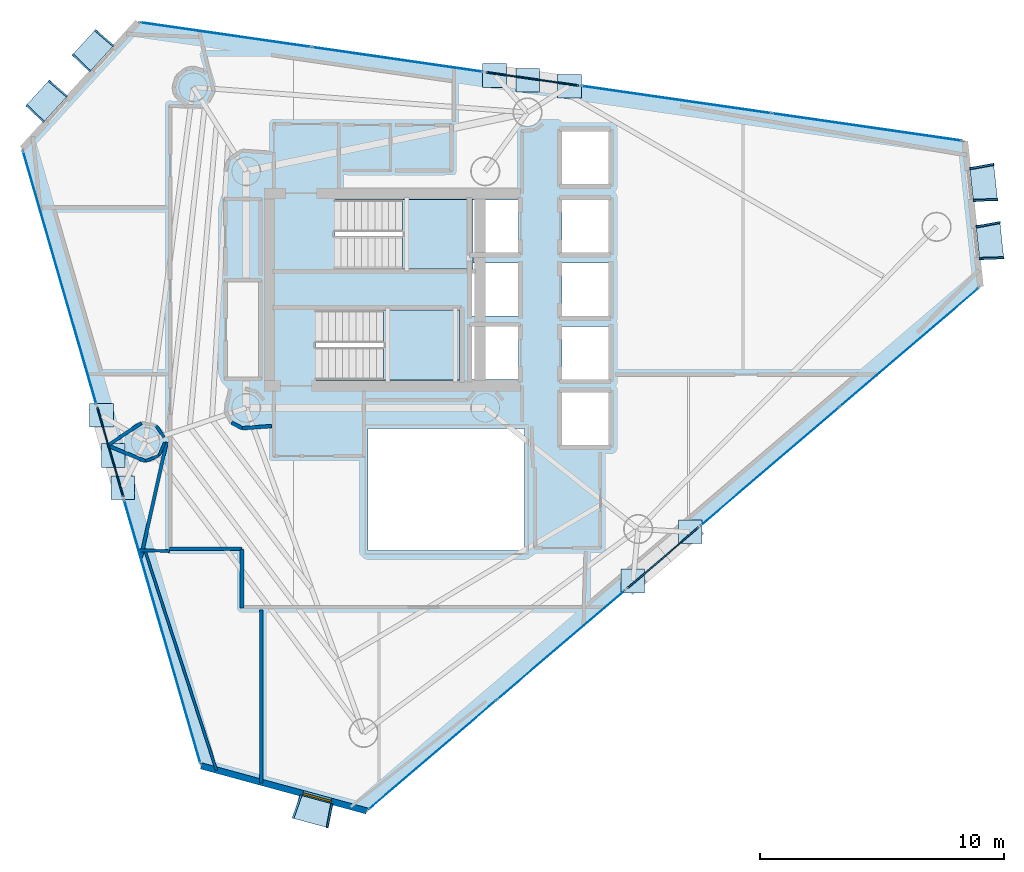
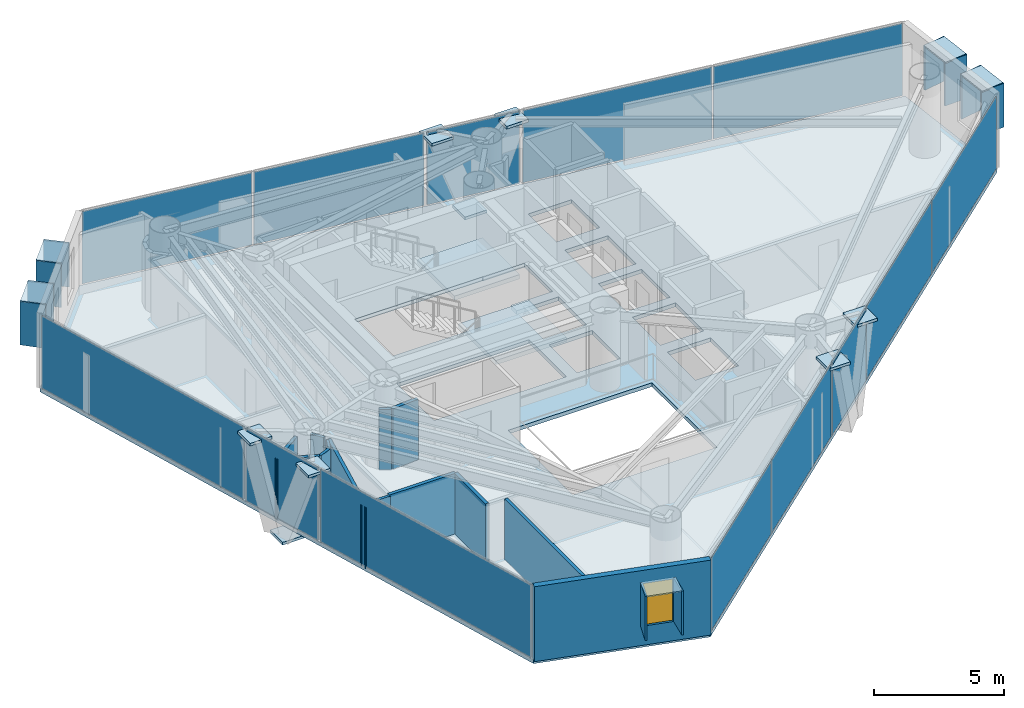
# One storey, part 17 of 23: 36 plates, 14 walls, 3 slabs, 1 window, 1 opening, 11 elements without a shape of their own.
"""IFC4 building model written with IfcOpenShell, lengths in metres."""

from ifc_helpers import new_model, si_unit, direction, frame, frame_2d, origin, origin_2d, place, context, subcontext, project, spatial, polyline, rectangle, outline, extrude, material, layer, layer_set, type_object, element, fill, aggregate, save


model = new_model("IFC4")

# Units and contexts
model_context = context("Model", 3, precision=1e-05, world=origin(), true_north=direction((0.0, 1.0)))
body_context = subcontext(model_context, "Body", "Model", "MODEL_VIEW")
ifc_project = project(units=[si_unit("LENGTHUNIT", "METRE"), si_unit("AREAUNIT", "SQUARE_METRE"), si_unit("VOLUMEUNIT", "CUBIC_METRE"), si_unit("PLANEANGLEUNIT", "RADIAN"), si_unit("MASSUNIT", "GRAM", prefix="KILO")], contexts=[model_context])

# Site, building, storey
site_placement = place(None, origin())
site = spatial("IfcSite", under=ifc_project, at=site_placement, CompositionType="ELEMENT")
building_placement = place(site_placement, origin())
building = spatial("IfcBuilding", under=site, at=building_placement, Name="Qianvela Tower", CompositionType="ELEMENT")
storey_placement = place(building_placement, frame((0.0, 0.0, 215.10009765625)))
storey = spatial("IfcBuildingStorey", under=building, at=storey_placement, Name="L55", CompositionType="ELEMENT", Elevation=215.10009765625)

# Curtain wall, plate
ifc_material_1 = material(Name="Anodised Architectural Aluminium and Insulated Spandrel Panel", Category="aluminium")
ifc_layer_1 = layer(ifc_material_1, 0.179931640625)
ifc_layer_set_1 = layer_set([ifc_layer_1], Name="Anodised Architectural Aluminium and Insulated Spandrel Panel")
curtain_wall_type_1 = type_object("IfcCurtainWallType", Name="CW-BRACEBAY", PredefinedType="USERDEFINED", material=ifc_layer_set_1)
curtain_wall_1_placement = place(storey_placement, origin())
curtain_wall_1 = element("IfcCurtainWall", 1, at=curtain_wall_1_placement, inside=storey, type_object=curtain_wall_type_1, Name="L55 CW-BRACEBAY Curtain Wall 02B", ObjectType="CURTAIN_WALL_SYSTEM", PredefinedType="USERDEFINED")
ifc_material_2 = material(Name="Insulated Aluminium Spandrel Panel with Mineral-Wool Backpan", Category="aluminium")
ifc_layer_2 = layer(ifc_material_2, 0.06005859375)
ifc_layer_set_2 = layer_set([ifc_layer_2], Name="Insulated Aluminium Spandrel Panel with Mineral-Wool Backpan")
plate_type_1 = type_object("IfcPlateType", Name="CW-BRACEBAY-PNL", PredefinedType="CURTAIN_PANEL", material=ifc_layer_set_2)
plate_1_placement = place(storey_placement, frame((40.32861328125, 37.333984375, 0.06494140625), z_axis=(0.0, 0.0, 1.0), x_axis=(-0.989792212089, 0.142517987944, 0.0)))
plate_1 = element("IfcPlate", 2, at=plate_1_placement, type_object=plate_type_1, Name="CW-9 panel 1.1", PredefinedType="CURTAIN_PANEL", context=body_context, shape_type="SweptSolid", body=[
    extrude(rectangle(XDim=3.840087890625, YDim=0.06005859375, at=origin_2d()), origin(), (0.0, 0.0, 1.0), 3.389892578125),
])
aggregate(curtain_wall_1, [plate_1])

curtain_wall_2_placement = place(storey_placement, origin())
curtain_wall_2 = element("IfcCurtainWall", 3, at=curtain_wall_2_placement, inside=storey, type_object=curtain_wall_type_1, Name="L55 CW-BRACEBAY Curtain Wall 04B", ObjectType="CURTAIN_WALL_SYSTEM", PredefinedType="USERDEFINED")
plate_2_placement = place(storey_placement, frame((23.029541015625, 22.04150390625, 0.06494140625), z_axis=(0.0, 0.0, 1.0), x_axis=(0.278332063761, -0.960484909971, 0.0)))
plate_2 = element("IfcPlate", 4, at=plate_2_placement, type_object=plate_type_1, Name="CW-9 panel 1.1", PredefinedType="CURTAIN_PANEL", context=body_context, shape_type="SweptSolid", body=[
    extrude(rectangle(XDim=3.840087890625, YDim=0.06005859375, at=origin_2d()), origin(), (0.0, 0.0, 1.0), 3.389892578125),
])
aggregate(curtain_wall_2, [plate_2])

curtain_wall_3_placement = place(storey_placement, origin())
curtain_wall_3 = element("IfcCurtainWall", 5, at=curtain_wall_3_placement, inside=storey, type_object=curtain_wall_type_1, Name="L55 CW-BRACEBAY Curtain Wall 06B", ObjectType="CURTAIN_WALL_SYSTEM", PredefinedType="USERDEFINED")
plate_3_placement = place(storey_placement, frame((45.676513671875, 17.70068359375, 0.06494140625), z_axis=(0.0, 0.0, 1.0), x_axis=(0.760254970541, 0.649624799225, 0.0)))
plate_3 = element("IfcPlate", 6, at=plate_3_placement, type_object=plate_type_1, Name="CW-9 panel 1.1", PredefinedType="CURTAIN_PANEL", context=body_context, shape_type="SweptSolid", body=[
    extrude(rectangle(XDim=3.840087890625, YDim=0.06005859375, at=origin_2d()), origin(), (0.0, 0.0, 1.0), 3.389892578125),
])
aggregate(curtain_wall_3, [plate_3])

# Curtain wall, plates
ifc_material_3 = material(Name="Anodised Architectural Aluminium and Low-E Glass", Category="aluminium")
ifc_layer_3 = layer(ifc_material_3, 0.159912109375)
ifc_layer_set_3 = layer_set([ifc_layer_3], Name="Anodised Architectural Aluminium and Low-E Glass")
curtain_wall_type_2 = type_object("IfcCurtainWallType", Name="CW-COLIV-Z56", PredefinedType="USERDEFINED", material=ifc_layer_set_3)
curtain_wall_4_placement = place(storey_placement, origin())
curtain_wall_4 = element("IfcCurtainWall", 7, at=curtain_wall_4_placement, inside=storey, type_object=curtain_wall_type_2, Name="L55 CW-COLIV-Z56 Curtain Wall 02A", ObjectType="CURTAIN_WALL_SYSTEM", PredefinedType="USERDEFINED")
ifc_material_4 = material(Name="Double-Silver Low-E Insulated Glass", Category="glass")
ifc_layer_4 = layer(ifc_material_4, 0.028076171875)
ifc_layer_set_4 = layer_set([ifc_layer_4], Name="Double-Silver Low-E Insulated Glass")
plate_type_2 = type_object("IfcPlateType", Name="CW-COLIV-Z56-PNL", PredefinedType="CURTAIN_PANEL", material=ifc_layer_set_4)
plate_4_placement = place(storey_placement, frame((54.05810546875, 35.357177734375, 0.06005859375), z_axis=(0.0, 0.0, 1.0), x_axis=(-0.989793635315, 0.142508103244, 0.0)))
plate_4 = element("IfcPlate", 8, at=plate_4_placement, type_object=plate_type_2, Name="CW-5 panel 1.1", PredefinedType="CURTAIN_PANEL", context=body_context, shape_type="SweptSolid", body=[
    extrude(rectangle(XDim=7.83740234375, YDim=0.028076171875, at=origin_2d()), origin(), (0.0, 0.0, 1.0), 3.39990234375),
])
plate_5_placement = place(storey_placement, frame((46.236328125, 36.4833984375, 0.06005859375), z_axis=(0.0, 0.0, 1.0), x_axis=(-0.989793635315, 0.142508103244, 0.0)))
plate_5 = element("IfcPlate", 9, at=plate_5_placement, type_object=plate_type_2, Name="CW-5 panel 2.1", PredefinedType="CURTAIN_PANEL", context=body_context, shape_type="SweptSolid", body=[
    extrude(rectangle(XDim=7.83740234375, YDim=0.028076171875, at=origin_2d()), origin(), (0.0, 0.0, 1.0), 3.39990234375),
])
aggregate(curtain_wall_4, [plate_4, plate_5])

curtain_wall_5_placement = place(storey_placement, origin())
curtain_wall_5 = element("IfcCurtainWall", 10, at=curtain_wall_5_placement, inside=storey, type_object=curtain_wall_type_2, Name="L55 CW-COLIV-Z56 Curtain Wall 02C", ObjectType="CURTAIN_WALL_SYSTEM", PredefinedType="USERDEFINED")
plate_6_placement = place(storey_placement, frame((34.811767578125, 38.128173828125, 0.06005859375), z_axis=(0.0, 0.0, 1.0), x_axis=(-0.989793539093, 0.142508771551, 0.0)))
plate_6 = element("IfcPlate", 11, at=plate_6_placement, type_object=plate_type_2, Name="CW-5 panel 1.1", PredefinedType="CURTAIN_PANEL", context=body_context, shape_type="SweptSolid", body=[
    extrude(rectangle(XDim=7.04736328125, YDim=0.028076171875, at=origin_2d()), origin(), (0.0, 0.0, 1.0), 3.39990234375),
])
plate_7_placement = place(storey_placement, frame((27.77197265625, 39.141845703125, 0.06005859375), z_axis=(0.0, 0.0, 1.0), x_axis=(-0.989793539093, 0.142508771551, 0.0)))
plate_7 = element("IfcPlate", 12, at=plate_7_placement, type_object=plate_type_2, Name="CW-5 panel 2.1", PredefinedType="CURTAIN_PANEL", context=body_context, shape_type="SweptSolid", body=[
    extrude(rectangle(XDim=7.04736328125, YDim=0.028076171875, at=origin_2d()), origin(), (0.0, 0.0, 1.0), 3.39990234375),
])
aggregate(curtain_wall_5, [plate_6, plate_7])

# Curtain wall, plate
curtain_wall_6_placement = place(storey_placement, origin())
curtain_wall_6 = element("IfcCurtainWall", 13, at=curtain_wall_6_placement, inside=storey, type_object=curtain_wall_type_2, Name="L55 CW-COLIV-Z56 Curtain Wall 04A", ObjectType="CURTAIN_WALL_SYSTEM", PredefinedType="USERDEFINED")
plate_8_placement = place(storey_placement, frame((20.958740234375, 29.1875, 0.06005859375), z_axis=(0.0, 0.0, 1.0), x_axis=(0.2783231338, -0.960487497676, 0.0)))
plate_8 = element("IfcPlate", 14, at=plate_8_placement, type_object=plate_type_2, Name="CW-5 panel 1.1", PredefinedType="CURTAIN_PANEL", context=body_context, shape_type="SweptSolid", body=[
    extrude(rectangle(XDim=10.780029296875, YDim=0.028076171875, at=origin_2d()), origin(), (0.0, 0.0, 1.0), 3.39990234375),
])
aggregate(curtain_wall_6, [plate_8])

curtain_wall_7_placement = place(storey_placement, origin())
curtain_wall_7 = element("IfcCurtainWall", 15, at=curtain_wall_7_placement, inside=storey, type_object=curtain_wall_type_2, Name="L55 CW-COLIV-Z56 Curtain Wall 04C", ObjectType="CURTAIN_WALL_SYSTEM", PredefinedType="USERDEFINED")
plate_9_placement = place(storey_placement, frame((25.1630859375, 14.678955078125, 0.06005859375), z_axis=(0.0, 0.0, 1.0), x_axis=(0.278322024548, -0.960487819106, 0.0)))
plate_9 = element("IfcPlate", 16, at=plate_9_placement, type_object=plate_type_2, Name="CW-5 panel 1.1", PredefinedType="CURTAIN_PANEL", context=body_context, shape_type="SweptSolid", body=[
    extrude(rectangle(XDim=11.23046875, YDim=0.028076171875, at=origin_2d()), origin(), (0.0, 0.0, 1.0), 3.39990234375),
])
aggregate(curtain_wall_7, [plate_9])

# Curtain wall, plates
curtain_wall_8_placement = place(storey_placement, origin())
curtain_wall_8 = element("IfcCurtainWall", 17, at=curtain_wall_8_placement, inside=storey, type_object=curtain_wall_type_2, Name="L55 CW-COLIV-Z56 Curtain Wall 06A", ObjectType="CURTAIN_WALL_SYSTEM", PredefinedType="USERDEFINED")
plate_10_placement = place(storey_placement, frame((36.237060546875, 9.634765625, 0.06005859375), z_axis=(0.0, 0.0, 1.0), x_axis=(0.76025903683, 0.649620040422, 0.0)))
plate_10 = element("IfcPlate", 18, at=plate_10_placement, type_object=plate_type_2, Name="CW-5 panel 1.1", PredefinedType="CURTAIN_PANEL", context=body_context, shape_type="SweptSolid", body=[
    extrude(rectangle(XDim=6.867431640625, YDim=0.028076171875, at=origin_2d()), origin(), (0.0, 0.0, 1.0), 3.39990234375),
])
plate_11_placement = place(storey_placement, frame((41.50732421875, 14.138427734375, 0.06005859375), z_axis=(0.0, 0.0, 1.0), x_axis=(0.76025903683, 0.649620040422, 0.0)))
plate_11 = element("IfcPlate", 19, at=plate_11_placement, type_object=plate_type_2, Name="CW-5 panel 2.1", PredefinedType="CURTAIN_PANEL", context=body_context, shape_type="SweptSolid", body=[
    extrude(rectangle(XDim=6.867431640625, YDim=0.028076171875, at=origin_2d()), origin(), (0.0, 0.0, 1.0), 3.39990234375),
])
aggregate(curtain_wall_8, [plate_10, plate_11])

curtain_wall_9_placement = place(storey_placement, origin())
curtain_wall_9 = element("IfcCurtainWall", 20, at=curtain_wall_9_placement, inside=storey, type_object=curtain_wall_type_2, Name="L55 CW-COLIV-Z56 Curtain Wall 06C", ObjectType="CURTAIN_WALL_SYSTEM", PredefinedType="USERDEFINED")
plate_12_placement = place(storey_placement, frame((50.06494140625, 21.450439453125, 0.06005859375), z_axis=(0.0, 0.0, 1.0), x_axis=(0.760261806903, 0.649616798555, 0.0)))
plate_12 = element("IfcPlate", 21, at=plate_12_placement, type_object=plate_type_2, Name="CW-5 panel 1.1", PredefinedType="CURTAIN_PANEL", context=body_context, shape_type="SweptSolid", body=[
    extrude(rectangle(XDim=7.444580078125, YDim=0.028076171875, at=origin_2d()), origin(), (0.0, 0.0, 1.0), 3.39990234375),
])
plate_13_placement = place(storey_placement, frame((55.774169921875, 26.328857421875, 0.06005859375), z_axis=(0.0, 0.0, 1.0), x_axis=(0.760261806903, 0.649616798555, 0.0)))
plate_13 = element("IfcPlate", 22, at=plate_13_placement, type_object=plate_type_2, Name="CW-5 panel 2.1", PredefinedType="CURTAIN_PANEL", context=body_context, shape_type="SweptSolid", body=[
    extrude(rectangle(XDim=7.444580078125, YDim=0.028076171875, at=origin_2d()), origin(), (0.0, 0.0, 1.0), 3.39990234375),
])
aggregate(curtain_wall_9, [plate_12, plate_13])

# Plates
ifc_material_5 = material(Name="Steel Q420GJC", Category="steel")
ifc_layer_5 = layer(ifc_material_5, 0.1298828125)
ifc_layer_set_5 = layer_set([ifc_layer_5], Name="Steel Q420GJC")
plate_type_3 = type_object("IfcPlateType", Name="PT-ENDCAP-130", PredefinedType="USERDEFINED", material=ifc_layer_set_5)
for number, where, z_axis, x_axis, name in (
    (23, (41.854248046875, 37.033447265625, 3.209716796875), (0.0, 0.0, 1.0), (1.0, 0.0, 0.0), "L55 Hollow Section End Cap Plate B"),
    (24, (40.142333984375, 37.27978515625, -0.603515625), (0.0, 0.0, 1.0), (1.0, 0.0, 0.0), "L55 Hollow Section End Cap Plate A"),
    (25, (38.780517578125, 37.47607421875, 3.20947265625), (0.0, 0.0, 1.0), (1.0, 0.0, 0.0), "L55 Hollow Section End Cap Plate B"),
    (26, (22.67431640625, 23.55517578125, 3.209716796875), (0.0, 0.0, 1.0), (1.0, 0.0, 0.0), "L55 Hollow Section End Cap Plate B"),
    (27, (23.15478515625, 21.896240234375, -0.603515625), (0.0, 0.0, 1.0), (1.0, 0.0, 0.0), "L55 Hollow Section End Cap Plate A"),
    (28, (23.53857421875, 20.572509765625, 3.20947265625), (0.0, 0.0, 1.0), (1.0, 0.0, 0.0), "L55 Hollow Section End Cap Plate B"),
    (29, (44.44482421875, 16.75341796875, 3.209716796875), (0.0, 0.0, 1.0), (1.0, 0.0, 0.0), "L55 Hollow Section End Cap Plate B"),
    (30, (46.8056640625, 18.770751953125, 3.20947265625), (0.0, 0.0, 1.0), (1.0, 0.0, 0.0), "L55 Hollow Section End Cap Plate B"),
):
    element("IfcPlate", number, at=place(storey_placement, frame(where, z_axis=z_axis, x_axis=x_axis)), inside=storey, type_object=plate_type_3, Name=name, ObjectType="END_CAP", PredefinedType="USERDEFINED", context=body_context, shape_type="SweptSolid", body=[
        extrude(rectangle(XDim=0.969970703125, YDim=0.969970703125, at=origin_2d()), origin(), (0.0, 0.0, 1.0), 0.1298828125),
    ])

# Slab
ifc_material_6 = material(Name="Concrete C40", Category="concrete")
ifc_layer_6 = layer(ifc_material_6, 0.179931640625)
ifc_layer_set_6 = layer_set([ifc_layer_6], Name="Concrete C40")
slab_type_1 = type_object("IfcSlabType", Name="SL-FLOOR-180", PredefinedType="FLOOR", material=ifc_layer_set_6)
slab_1_placement = place(storey_placement, frame((0.0, 0.0, -0.18017578125)))
element("IfcSlab", 31, at=slab_1_placement, inside=storey, type_object=slab_type_1, Name="L55 Composite Structural Floor Slab", PredefinedType="FLOOR", context=body_context, shape_type="SweptSolid", body=[
    extrude(outline(polyline([(58.691650390625, 28.82177734375), (58.05078125, 34.7822265625), (24.17041015625, 39.660400390625), (19.4267578125, 34.47509765625), (26.7578125, 9.17529296875), (33.5390625, 7.32958984375), (58.691650390625, 28.82177734375)]), holes=[polyline([(40.0, 23.0), (33.60009765625, 23.0), (33.60009765625, 18.0), (40.0, 18.0), (40.0, 23.0)]), polyline([(39.760009765625, 27.179931640625), (37.840087890625, 27.179931640625), (37.840087890625, 25.02001953125), (39.760009765625, 25.02001953125), (39.760009765625, 27.179931640625)]), polyline([(37.35009765625, 27.860107421875), (31.469970703125, 27.860107421875), (31.469970703125, 25.0), (37.35009765625, 25.0), (37.35009765625, 27.860107421875)]), polyline([(37.840087890625, 27.6201171875), (39.760009765625, 27.6201171875), (39.760009765625, 29.780029296875), (37.89990234375, 29.780029296875), (37.89990234375, 30.219970703125), (39.760009765625, 30.219970703125), (39.760009765625, 32.3798828125), (37.89990234375, 32.3798828125), (37.89990234375, 32.39990234375), (32.25, 32.39990234375), (32.25, 29.5400390625), (37.840087890625, 29.5400390625), (37.840087890625, 27.6201171875)]), polyline([(43.4599609375, 22.320068359375), (43.4599609375, 24.47998046875), (41.5400390625, 24.47998046875), (41.5400390625, 22.320068359375), (43.4599609375, 22.320068359375)]), polyline([(43.4599609375, 25.02001953125), (43.4599609375, 27.179931640625), (41.5400390625, 27.179931640625), (41.5400390625, 25.02001953125), (43.4599609375, 25.02001953125)]), polyline([(43.4599609375, 29.780029296875), (41.5400390625, 29.780029296875), (41.5400390625, 27.6201171875), (43.4599609375, 27.6201171875), (43.4599609375, 29.780029296875)]), polyline([(43.4599609375, 30.219970703125), (43.4599609375, 32.3798828125), (41.5400390625, 32.3798828125), (41.5400390625, 30.219970703125), (43.4599609375, 30.219970703125)]), polyline([(43.4599609375, 33.02001953125), (43.4599609375, 35.179931640625), (41.5400390625, 35.179931640625), (41.5400390625, 33.02001953125), (43.4599609375, 33.02001953125)])]), origin(), (0.0, 0.0, 1.0), 0.18017578125),
])

# Stair, slab
ifc_material_7 = material(Name="Concrete C40", Category="concrete")
stair_type = type_object("IfcStairType", Name="ST-DOGLEG-1350-R168-N22", PredefinedType="HALF_TURN_STAIR", material=ifc_material_7)
stair_1_placement = place(storey_placement, origin())
stair_1 = element("IfcStair", 32, at=stair_1_placement, inside=storey, type_object=stair_type, Name="L55 Smoke-Proof Core Stair ST-1", PredefinedType="HALF_TURN_STAIR")
ifc_material_8 = material(Name="Concrete C40", Category="concrete")
ifc_layer_7 = layer(ifc_material_8, 0.199951171875)
ifc_layer_set_7 = layer_set([ifc_layer_7], Name="Concrete C40")
slab_type_2 = type_object("IfcSlabType", Name="SL-STAIR-LANDING-200", PredefinedType="LANDING", material=ifc_layer_set_7)
slab_2_placement = place(storey_placement, frame((0.0, 0.0, 1.64990234375)))
slab_2 = element("IfcSlab", 33, at=slab_2_placement, type_object=slab_type_2, Name="ST-1 landing 1", PredefinedType="LANDING", context=body_context, shape_type="SweptSolid", body=[
    extrude(outline(polyline([(35.0, 29.5400390625), (37.89990234375, 29.5400390625), (37.89990234375, 32.39990234375), (35.0, 32.39990234375), (35.0, 29.5400390625)])), origin(), (0.0, 0.0, 1.0), 0.199951171875),
])
aggregate(stair_1, [slab_2])

stair_2_placement = place(storey_placement, origin())
stair_2 = element("IfcStair", 34, at=stair_2_placement, inside=storey, type_object=stair_type, Name="L55 Smoke-Proof Core Stair ST-2", PredefinedType="HALF_TURN_STAIR")
slab_3_placement = place(storey_placement, frame((0.0, 0.0, 1.64990234375)))
slab_3 = element("IfcSlab", 35, at=slab_3_placement, type_object=slab_type_2, Name="ST-2 landing 1", PredefinedType="LANDING", context=body_context, shape_type="SweptSolid", body=[
    extrude(outline(polyline([(34.219970703125, 25.0), (37.35009765625, 25.0), (37.35009765625, 27.860107421875), (34.219970703125, 27.860107421875), (34.219970703125, 25.0)])), origin(), (0.0, 0.0, 1.0), 0.199951171875),
])
aggregate(stair_2, [slab_3])

# Plates
ifc_material_9 = material(Name="Vitrified Architectural Terracotta Panel", Category="masonry")
ifc_layer_8 = layer(ifc_material_9, 0.06494140625)
ifc_layer_set_8 = layer_set([ifc_layer_8], Name="Vitrified Architectural Terracotta Panel")
plate_type_4 = type_object("IfcPlateType", Name="TERRACOTTA-SUNSHADE-HOOD-FOLD-B", PredefinedType="USERDEFINED", material=ifc_layer_set_8)
for number, where, z_axis, x_axis, name in (
    (36, (22.315673828125, 38.49951171875, 2.909912109375), (0.0, 0.0, 1.0), (-0.674998065763, -0.73781949772, 0.0), "L55 Terracotta Sunshade Hood FOLD-B"),
    (37, (20.418212890625, 36.425537109375, 2.909912109375), (0.0, 0.0, 1.0), (-0.674998065763, -0.73781949772, 0.0), "L55 Terracotta Sunshade Hood FOLD-B"),
):
    element("IfcPlate", number, at=place(storey_placement, frame(where, z_axis=z_axis, x_axis=x_axis)), inside=storey, type_object=plate_type_4, Name=name, ObjectType="SUNSHADE", PredefinedType="USERDEFINED", context=body_context, shape_type="SweptSolid", body=[
        extrude(rectangle(XDim=1.43994140625, YDim=0.989990234375, at=origin_2d()), origin(), (0.0, 0.0, 1.0), 0.06005859375),
    ])
ifc_material_10 = material(Name="Vitrified Architectural Terracotta Panel", Category="masonry")
ifc_layer_9 = layer(ifc_material_10, 0.074951171875)
ifc_layer_set_9 = layer_set([ifc_layer_9], Name="Vitrified Architectural Terracotta Panel")
plate_type_5 = type_object("IfcPlateType", Name="TERRACOTTA-SUNSHADE-HOOD-FOLD-D", PredefinedType="USERDEFINED", material=ifc_layer_set_9)
for number, where, z_axis, x_axis, name in (
    (38, (59.0810546875, 30.67236328125, 2.909912109375), (0.0, 0.0, 1.0), (-0.106890546606, 0.99427079362, 0.0), "L55 Terracotta Sunshade Hood FOLD-D"),
    (39, (58.82470703125, 33.056640625, 2.909912109375), (0.0, 0.0, 1.0), (-0.106890546606, 0.99427079362, 0.0), "L55 Terracotta Sunshade Hood FOLD-D"),
    (40, (31.35107421875, 7.318603515625, 2.909912109375), (0.0, 0.0, 1.0), (0.96489695907, -0.262628746288, 0.0), "L55 Terracotta Sunshade Hood FOLD-D"),
):
    element("IfcPlate", number, at=place(storey_placement, frame(where, z_axis=z_axis, x_axis=x_axis)), inside=storey, type_object=plate_type_5, Name=name, ObjectType="SUNSHADE", PredefinedType="USERDEFINED", context=body_context, shape_type="SweptSolid", body=[
        extrude(rectangle(XDim=1.43994140625, YDim=0.989990234375, at=origin_2d()), origin(), (0.0, 0.0, 1.0), 0.06005859375),
    ])
ifc_material_11 = material(Name="Vitrified Architectural Terracotta Side Fin Panel", Category="masonry")
ifc_layer_10 = layer(ifc_material_11, 0.070068359375)
ifc_layer_set_10 = layer_set([ifc_layer_10], Name="Vitrified Architectural Terracotta Side Fin Panel")
plate_type_6 = type_object("IfcPlateType", Name="TERRACOTTA-SUNSHADE-STRUT-FOLD-B", PredefinedType="USERDEFINED", material=ifc_layer_set_10)
for number, where, z_axis, x_axis, name in (
    (41, (22.781494140625, 39.0087890625, 0.89990234375), (0.0, 0.0, 1.0), (-0.652151330003, -0.758088809293, 0.0), "L55 Terracotta Sunshade Side Fin HL FOLD-B"),
    (42, (21.85009765625, 37.990478515625, 0.89990234375), (0.0, 0.0, 1.0), (-0.697215150958, -0.716861934598, 0.0), "L55 Terracotta Sunshade Side Fin HR FOLD-B"),
    (43, (20.884033203125, 36.9345703125, 0.89990234375), (0.0, 0.0, 1.0), (-0.652151330003, -0.758088809293, 0.0), "L55 Terracotta Sunshade Side Fin HL FOLD-B"),
    (44, (19.952392578125, 35.91650390625, 0.89990234375), (0.0, 0.0, 1.0), (-0.697215150958, -0.716861934598, 0.0), "L55 Terracotta Sunshade Side Fin HR FOLD-B"),
):
    element("IfcPlate", number, at=place(storey_placement, frame(where, z_axis=z_axis, x_axis=x_axis)), inside=storey, type_object=plate_type_6, Name=name, ObjectType="SUNSHADE", PredefinedType="USERDEFINED", context=body_context, shape_type="SweptSolid", body=[
        extrude(rectangle(XDim=0.070068359375, YDim=1.010009765625, at=origin_2d()), origin(), (0.0, 0.0, 1.0), 2.06005859375),
    ])
ifc_material_12 = material(Name="Vitrified Architectural Terracotta Side Fin Panel", Category="masonry")
ifc_layer_11 = layer(ifc_material_12, 0.080078125)
ifc_layer_set_11 = layer_set([ifc_layer_11], Name="Vitrified Architectural Terracotta Side Fin Panel")
plate_type_7 = type_object("IfcPlateType", Name="TERRACOTTA-SUNSHADE-STRUT-FOLD-D", PredefinedType="USERDEFINED", material=ifc_layer_set_11)
for number, where, z_axis, x_axis, name in (
    (45, (59.15478515625, 29.986328125, 0.89990234375), (0.0, 0.0, 1.0), (-0.032912710027, 0.999458230002, 0.0), "L55 Terracotta Sunshade Side Fin HL FOLD-D"),
    (46, (59.00732421875, 31.3583984375, 0.89990234375), (0.0, 0.0, 1.0), (-0.180280524748, 0.983615235952, 0.0), "L55 Terracotta Sunshade Side Fin HR FOLD-D"),
    (47, (58.8984375, 32.37060546875, 0.89990234375), (0.0, 0.0, 1.0), (-0.032912710027, 0.999458230002, 0.0), "L55 Terracotta Sunshade Side Fin HL FOLD-D"),
    (48, (58.7509765625, 33.74267578125, 0.89990234375), (0.0, 0.0, 1.0), (-0.180280524748, 0.983615235952, 0.0), "L55 Terracotta Sunshade Side Fin HR FOLD-D"),
    (49, (30.685302734375, 7.5, 0.89990234375), (0.0, 0.0, 1.0), (0.942780651165, -0.333413622679, 0.0), "L55 Terracotta Sunshade Side Fin HL FOLD-D"),
    (50, (32.016845703125, 7.137451171875, 0.89990234375), (0.0, 0.0, 1.0), (0.981706690904, -0.190399509018, 0.0), "L55 Terracotta Sunshade Side Fin HR FOLD-D"),
):
    element("IfcPlate", number, at=place(storey_placement, frame(where, z_axis=z_axis, x_axis=x_axis)), inside=storey, type_object=plate_type_7, Name=name, ObjectType="SUNSHADE", PredefinedType="USERDEFINED", context=body_context, shape_type="SweptSolid", body=[
        extrude(rectangle(XDim=0.080078125, YDim=1.010009765625, at=origin_2d()), origin(), (0.0, 0.0, 1.0), 2.06005859375),
    ])

# Wall, opening, window
ifc_material_13 = material(Name="Terracotta Cladding on Concrete C40", Category="masonry")
ifc_layer_12 = layer(ifc_material_13, 0.260009765625)
ifc_layer_set_12 = layer_set([ifc_layer_12], Name="Terracotta Cladding on Concrete C40")
wall_type_1 = type_object("IfcWallType", Name="TERRACOTTA-WALL-260", PredefinedType="SOLIDWALL", material=ifc_layer_set_12)
wall_1_placement = place(storey_placement, frame((26.7578125, 9.17529296875, 0.0), z_axis=(0.0, 0.0, 1.0), x_axis=(0.964898373598, -0.262623549265, 0.0)))
wall_1 = element("IfcWall", 51, at=wall_1_placement, inside=storey, type_object=wall_type_1, Name="L55 Terracotta Chamfer Facet Wall 5", PredefinedType="SOLIDWALL", context=body_context, shape_type="SweptSolid", body=[
    extrude(rectangle(XDim=7.02783203125, YDim=0.260009765625, at=frame_2d((3.513916015625, 0.0))), origin(), (0.0, 0.0, 1.0), 3.52001953125),
])
opening_placement = place(wall_1_placement, frame((4.319580078125, 0.0, 0.89990234375)))
opening = element("IfcOpeningElement", 52, at=opening_placement, cuts=wall_1, Name="Opening W-03", PredefinedType="OPENING", context=body_context, shape_type="SweptSolid", body=[
    extrude(rectangle(XDim=1.199951171875, YDim=2.0, at=frame_2d((0.60009765625, 1.0))), frame((0.0, 0.139892578125, 0.0), z_axis=(0.0, -1.0, 0.0), x_axis=(1.0, 0.0, 0.0)), (0.0, 0.0, 1.0), 0.280029296875),
])
ifc_material_14 = material(Name="Thermally Broken Aluminium and Low-E Glass", Category="aluminium")
window_type = type_object("IfcWindowType", Name="WIN-TC-1200x2000", PartitioningType="SINGLE_PANEL", PredefinedType="WINDOW", material=ifc_material_14)
window_placement = place(opening_placement, origin())
window = element("IfcWindow", 53, at=window_placement, inside=storey, type_object=window_type, Name="L55 Chamfer Facet Window 5.1", OverallHeight=2.0, OverallWidth=1.199951171875, PartitioningType="SINGLE_PANEL", PredefinedType="WINDOW", context=body_context, shape_type="SweptSolid", body=[
    extrude(rectangle(XDim=1.199951171875, YDim=2.0, at=frame_2d((0.60009765625, 1.0))), frame((0.0, 0.030029296875, 0.0), z_axis=(0.0, -1.0, 0.0), x_axis=(1.0, 0.0, 0.0)), (0.0, 0.0, 1.0), 0.06005859375),
])
fill(opening, window)

# Walls
ifc_material_15 = material(Name="Fire-Rated Acoustic Gypsum Board")
ifc_layer_13 = layer(ifc_material_15, 0.14990234375)
ifc_layer_set_13 = layer_set([ifc_layer_13], Name="Fire-Rated Acoustic Gypsum Board")
wall_type_2 = type_object("IfcWallType", Name="WT-CORR-150", PredefinedType="PARTITIONING", material=ifc_layer_set_13)
wall_2_placement = place(storey_placement, frame((28.005615234375, 23.242919921875, 0.0), z_axis=(0.0, 0.0, 1.0), x_axis=(0.881670519123, -0.471865548338, 0.0)))
element("IfcWall", 54, at=wall_2_placement, inside=storey, type_object=wall_type_2, Name="L55 Partition 68", PredefinedType="PARTITIONING", context=body_context, shape_type="SweptSolid", body=[
    extrude(rectangle(XDim=0.47607421875, YDim=0.14990234375, at=frame_2d((0.238037109375, 0.0))), origin(), (0.0, 0.0, 1.0), 2.83984375),
])
wall_3_placement = place(storey_placement, frame((28.4423828125, 23.014892578125, 0.0), z_axis=(0.0, 0.0, 1.0), x_axis=(0.99740683837, 0.07196942943, 0.0)))
element("IfcWall", 55, at=wall_3_placement, inside=storey, type_object=wall_type_2, Name="L55 Partition 69", PredefinedType="PARTITIONING", context=body_context, shape_type="SweptSolid", body=[
    extrude(rectangle(XDim=1.200927734375, YDim=0.14990234375, at=frame_2d((0.6005859375, 0.0))), origin(), (0.0, 0.0, 1.0), 2.83984375),
])
wall_4_placement = place(storey_placement, frame((28.430908203125, 15.64990234375, 0.0), z_axis=(0.0, 0.0, 1.0), x_axis=(0.0, 1.0, 0.0)))
element("IfcWall", 56, at=wall_4_placement, inside=storey, type_object=wall_type_2, Name="L55 Partition 75", PredefinedType="PARTITIONING", context=body_context, shape_type="SweptSolid", body=[
    extrude(rectangle(XDim=2.400146484375, YDim=0.14990234375, at=frame_2d((1.2001953125, 0.0))), origin(), (0.0, 0.0, 1.0), 2.83984375),
])
wall_5_placement = place(storey_placement, frame((28.39990234375, 18.0810546875, 0.0), z_axis=(0.0, 0.0, 1.0), x_axis=(-1.0, 0.0, 0.0)))
element("IfcWall", 57, at=wall_5_placement, inside=storey, type_object=wall_type_2, Name="L55 Partition 76", PredefinedType="PARTITIONING", context=body_context, shape_type="SweptSolid", body=[
    extrude(rectangle(XDim=2.949951171875, YDim=0.14990234375, at=frame_2d((1.47509765625, 0.0))), origin(), (0.0, 0.0, 1.0), 2.83984375),
])
ifc_material_16 = material(Name="Lightweight Gypsum Room Partition")
ifc_layer_14 = layer(ifc_material_16, 0.10498046875)
ifc_layer_set_14 = layer_set([ifc_layer_14], Name="Lightweight Gypsum Room Partition")
wall_type_3 = type_object("IfcWallType", Name="WT-PART-105", PredefinedType="PARTITIONING", material=ifc_layer_set_14)
wall_6_placement = place(storey_placement, frame((25.0380859375, 21.910400390625, 0.0), z_axis=(0.0, 0.0, 1.0), x_axis=(0.389093528864, 0.921198255424, 0.0)))
element("IfcWall", 58, at=wall_6_placement, inside=storey, type_object=wall_type_3, Name="L55 Partition 87", PredefinedType="PARTITIONING", context=body_context, shape_type="SweptSolid", body=[
    extrude(rectangle(XDim=0.568359375, YDim=0.10498046875, at=frame_2d((0.2841796875, 0.0))), origin(), (0.0, 0.0, 1.0), 2.83984375),
])
wall_7_placement = place(storey_placement, frame((27.38623046875, 8.986572265625, 0.0), z_axis=(0.0, 0.0, 1.0), x_axis=(-0.309377923312, 0.950939167648, 0.0)))
element("IfcWall", 59, at=wall_7_placement, inside=storey, type_object=wall_type_3, Name="L55 Partition 93 seg 1", PredefinedType="PARTITIONING", context=body_context, shape_type="SweptSolid", body=[
    extrude(rectangle(XDim=9.570556640625, YDim=0.10498046875, at=frame_2d((4.78515625, 0.0))), origin(), (0.0, 0.0, 1.0), 2.83984375),
])
ifc_material_17 = material(Name="Insulated Gypsum Stud Partition")
ifc_layer_15 = layer(ifc_material_17, 0.1201171875)
ifc_layer_set_15 = layer_set([ifc_layer_15], Name="Insulated Gypsum Stud Partition")
wall_type_4 = type_object("IfcWallType", Name="WT-PART-120", PredefinedType="PARTITIONING", material=ifc_layer_set_15)
wall_8_placement = place(storey_placement, frame((25.237548828125, 22.6435546875, 0.0), z_axis=(0.0, 0.0, 1.0), x_axis=(-0.563363697458, 0.826209019792, 0.0)))
element("IfcWall", 60, at=wall_8_placement, inside=storey, type_object=wall_type_4, Name="L55 Partition 80", PredefinedType="PARTITIONING", context=body_context, shape_type="SweptSolid", body=[
    extrude(rectangle(XDim=0.563720703125, YDim=0.1201171875, at=frame_2d((0.28173828125, 0.0))), origin(), (0.0, 0.0, 1.0), 2.83984375),
])
wall_9_placement = place(storey_placement, frame((24.48388671875, 21.67138671875, 0.0), z_axis=(0.0, 0.0, 1.0), x_axis=(0.923832639322, 0.382796622927, 0.0)))
element("IfcWall", 61, at=wall_9_placement, inside=storey, type_object=wall_type_4, Name="L55 Partition 86", PredefinedType="PARTITIONING", context=body_context, shape_type="SweptSolid", body=[
    extrude(rectangle(XDim=0.58154296875, YDim=0.1201171875, at=frame_2d((0.290771484375, 0.0))), origin(), (0.0, 0.0, 1.0), 2.83984375),
])
wall_10_placement = place(storey_placement, frame((24.178466796875, 18.008544921875, 0.0), z_axis=(0.0, 0.0, 1.0), x_axis=(0.999860499529, -0.016702738759, 0.0)))
element("IfcWall", 62, at=wall_10_placement, inside=storey, type_object=wall_type_4, Name="L55 Partition 89 seg 1", PredefinedType="PARTITIONING", context=body_context, shape_type="SweptSolid", body=[
    extrude(rectangle(XDim=1.271728515625, YDim=0.1201171875, at=frame_2d((0.6357421875, 0.0))), origin(), (0.0, 0.0, 1.0), 2.83984375),
])
ifc_material_18 = material(Name="Acoustic Double Gypsum Stud Partition")
ifc_layer_16 = layer(ifc_material_18, 0.139892578125)
ifc_layer_set_16 = layer_set([ifc_layer_16], Name="Acoustic Double Gypsum Stud Partition")
wall_type_5 = type_object("IfcWallType", Name="WT-ROOM-140", PredefinedType="PARTITIONING", material=ifc_layer_set_16)
wall_11_placement = place(storey_placement, frame((24.306396484375, 23.231201171875, 0.0), z_axis=(0.0, 0.0, 1.0), x_axis=(-0.83134563291, -0.555755736489, 0.0)))
element("IfcWall", 63, at=wall_11_placement, inside=storey, type_object=wall_type_5, Name="L55 Partition 82", PredefinedType="PARTITIONING", context=body_context, shape_type="SweptSolid", body=[
    extrude(rectangle(XDim=1.654052734375, YDim=0.139892578125, at=frame_2d((0.8271484375, 0.0))), origin(), (0.0, 0.0, 1.0), 2.83984375),
])
wall_12_placement = place(storey_placement, frame((22.93798828125, 22.302001953125, 0.0), z_axis=(0.0, 0.0, 1.0), x_axis=(0.923859705961, -0.382731294386, 0.0)))
element("IfcWall", 64, at=wall_12_placement, inside=storey, type_object=wall_type_5, Name="L55 Partition 85", PredefinedType="PARTITIONING", context=body_context, shape_type="SweptSolid", body=[
    extrude(rectangle(XDim=1.647705078125, YDim=0.139892578125, at=frame_2d((0.82373046875, 0.0))), origin(), (0.0, 0.0, 1.0), 2.83984375),
])
wall_13_placement = place(storey_placement, frame((25.34130859375, 22.4462890625, 0.0), z_axis=(0.0, 0.0, 1.0), x_axis=(-0.217921517361, -0.975966296688, 0.0)))
element("IfcWall", 65, at=wall_13_placement, inside=storey, type_object=wall_type_5, Name="L55 Partition 88", PredefinedType="PARTITIONING", context=body_context, shape_type="SweptSolid", body=[
    extrude(rectangle(XDim=4.85107421875, YDim=0.139892578125, at=frame_2d((2.425537109375, 0.0))), origin(), (0.0, 0.0, 1.0), 2.83984375),
])
wall_14_placement = place(storey_placement, frame((29.22705078125, 15.570068359375, 0.0), z_axis=(0.0, 0.0, 1.0), x_axis=(0.0, -1.0, 0.0)))
element("IfcWall", 66, at=wall_14_placement, inside=storey, type_object=wall_type_5, Name="L55 Partition 91", PredefinedType="PARTITIONING", context=body_context, shape_type="SweptSolid", body=[
    extrude(rectangle(XDim=7.0869140625, YDim=0.139892578125, at=frame_2d((3.54345703125, 0.0))), origin(), (0.0, 0.0, 1.0), 2.83984375),
])

save(model, "model.ifc")
